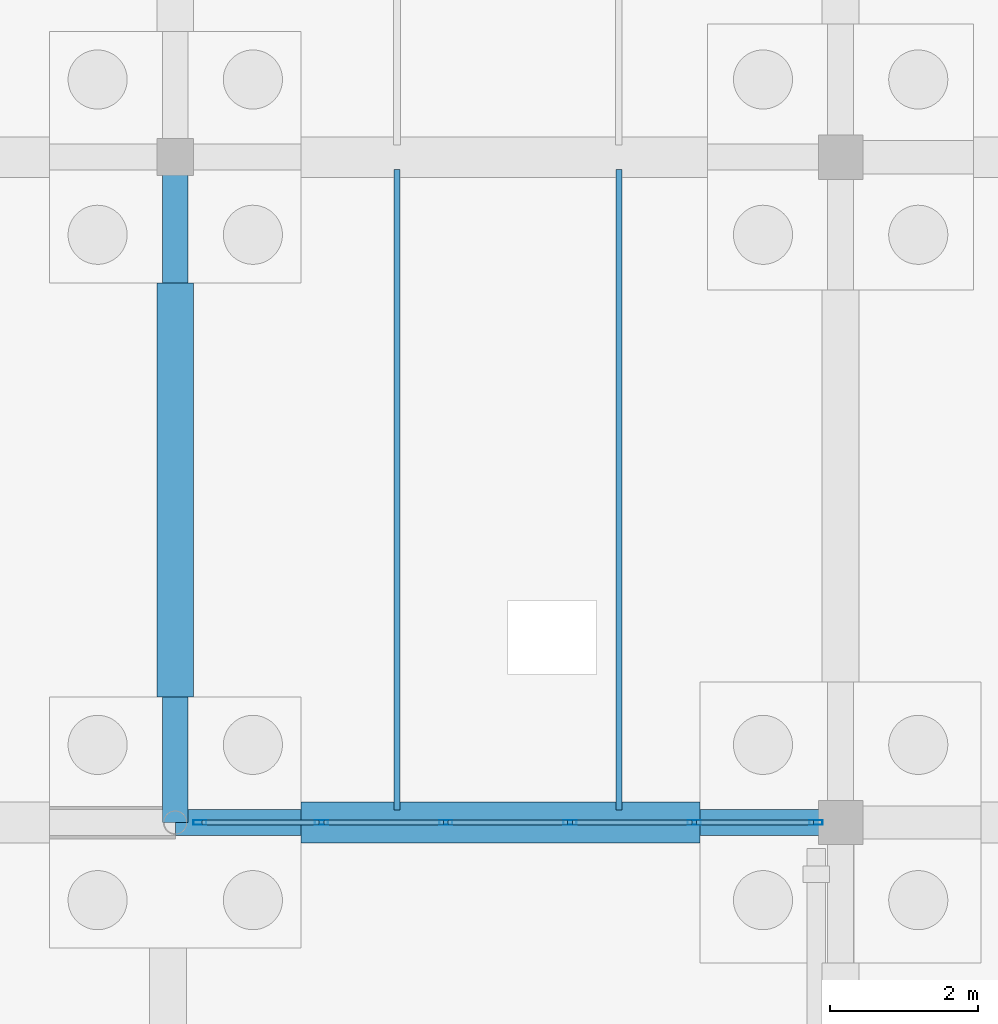
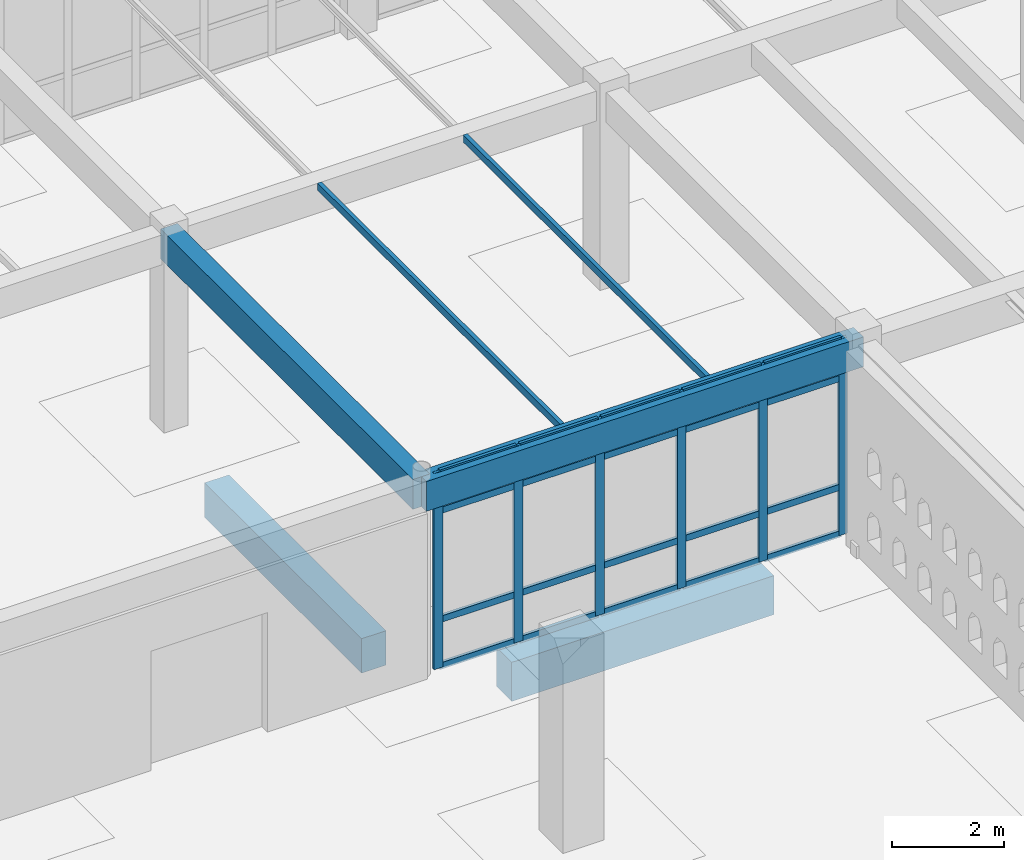
# One storey, part 125 of 186: 26 members, 6 beams, 1 element without a shape of its own.
"""IFC4 building model written with IfcOpenShell, lengths in metres."""

import ifcopenshell
import ifcopenshell.guid

model = None  # the IFC model being written
_history = None  # IfcOwnerHistory: only IFC2X3 demands one
_inside = {}  # id of a spatial element -> (the spatial element, [elements in it])
_under = {}  # id of a project, library or spatial element -> (it, [spatial elements below it])
_declared = {}  # id of a project -> (the project, [libraries it declares])
_typed = {}  # id of a type object -> (the type object, [elements of that type])
_made_of = {}  # id of a material, layer set ... -> (it, [elements and type objects made of it])


def new_model(schema):
    """Start an empty IFC model of exactly this schema.

    Asked for "IFC4X3", IfcOpenShell would pick the latest addendum, in which some entities
    have other attributes; the version numbers below select the first issue.
    IFC2X3 requires an IfcOwnerHistory on every rooted entity: one is made here for all.
    """
    global model, _history
    if schema == "IFC4X3":
        model = ifcopenshell.file(schema_version=(4, 3, 0, 0))
    else:
        model = ifcopenshell.file(schema=schema)
    _inside.clear()
    _under.clear()
    _declared.clear()
    _typed.clear()
    _made_of.clear()
    _history = None
    if model.schema == "IFC2X3":
        org = make("IfcOrganization", Name="unknown")
        user = make(
            "IfcPersonAndOrganization",
            ThePerson=make("IfcPerson", FamilyName="unknown"),
            TheOrganization=org,
        )
        app = make(
            "IfcApplication",
            ApplicationDeveloper=org,
            Version="unknown",
            ApplicationFullName="unknown",
            ApplicationIdentifier="unknown",
        )
        _history = make(
            "IfcOwnerHistory",
            OwningUser=user,
            OwningApplication=app,
            ChangeAction="ADDED",
            CreationDate=0,
        )
    return model


def make(cls, **values):
    """One entity of the class cls with the attributes given. An attribute that is None is left unset."""
    return model.create_entity(
        cls, **{name: value for name, value in values.items() if value is not None}
    )


def rooted(cls, **values):
    """An entity with a GlobalId (a new one), such as an element, a storey or a relation."""
    return make(cls, GlobalId=ifcopenshell.guid.new(), OwnerHistory=_history, **values)


def si_unit(unit_type, name, prefix=None):
    """IfcSIUnit, for example si_unit("LENGTHUNIT", "METRE", prefix="MILLI")."""
    return make("IfcSIUnit", UnitType=unit_type, Prefix=prefix, Name=name)


def assignment(units):
    """IfcUnitAssignment: the units of a project."""
    return None if units is None else make("IfcUnitAssignment", Units=units)


def point(xyz):
    """IfcCartesianPoint."""
    return None if xyz is None else make("IfcCartesianPoint", Coordinates=xyz)


def direction(xyz):
    """IfcDirection."""
    return None if xyz is None else make("IfcDirection", DirectionRatios=xyz)


def frame(location, z_axis=None, x_axis=None):
    """IfcAxis2Placement3D, a coordinate frame: its origin and axes. An axis left out is left unset."""
    return make(
        "IfcAxis2Placement3D",
        Location=point(location),
        Axis=direction(z_axis),
        RefDirection=direction(x_axis),
    )


def frame_2d(location, x_axis=None):
    """IfcAxis2Placement2D, a coordinate frame in the plane: its origin and x axis."""
    return make(
        "IfcAxis2Placement2D", Location=point(location), RefDirection=direction(x_axis)
    )


def origin():
    """The frame at (0, 0, 0) with its axes left unset."""
    return frame((0.0, 0.0, 0.0))


def origin_2d():
    """The frame at (0, 0) in the plane with its x axis left unset."""
    return frame_2d((0.0, 0.0))


def place(relative_to, where):
    """IfcLocalPlacement: puts the frame where relative to a parent placement (None: the world)."""
    return make(
        "IfcLocalPlacement", PlacementRelTo=relative_to, RelativePlacement=where
    )


def context(
    kind, dimensions, precision=None, world=None, true_north=None, identifier=None
):
    """IfcGeometricRepresentationContext, for example the 3D "Model" context."""
    return make(
        "IfcGeometricRepresentationContext",
        ContextIdentifier=identifier,
        ContextType=kind,
        CoordinateSpaceDimension=dimensions,
        Precision=precision,
        WorldCoordinateSystem=world,
        TrueNorth=true_north,
    )


def subcontext(parent, identifier, kind, view, scale=None):
    """IfcGeometricRepresentationSubContext, for example "Body" below "Model"."""
    return make(
        "IfcGeometricRepresentationSubContext",
        ContextIdentifier=identifier,
        ContextType=kind,
        ParentContext=parent,
        TargetScale=scale,
        TargetView=view,
    )


def project(units=None, contexts=None):
    """IfcProject with its units and contexts."""
    return rooted(
        "IfcProject",
        Name="project",
        RepresentationContexts=contexts,
        UnitsInContext=assignment(units),
    )


def spatial(cls, under=None, at=None, **own):
    """A site, building, storey or space (cls), placed at a placement, below another one or the project."""
    s = rooted(cls, ObjectPlacement=at, **own)
    if under is not None:
        _under.setdefault(under.id(), (under, []))[1].append(s)
    return s


def profile(cls, at=None, kind="AREA", **sizes):
    """A parametric profile (cls). Its sizes go by their IFC names, for example OverallWidth=200.0."""
    return make(cls, ProfileType=kind, Position=at, **sizes)


def rectangle(**sizes):
    """IfcRectangleProfileDef."""
    return profile("IfcRectangleProfileDef", **sizes)


def hollow_rectangle(**sizes):
    """IfcRectangleHollowProfileDef."""
    return profile("IfcRectangleHollowProfileDef", **sizes)


def extrude(swept, where, along, depth):
    """IfcExtrudedAreaSolid: the profile swept, set in the frame where, extruded along a direction by depth."""
    return make(
        "IfcExtrudedAreaSolid",
        SweptArea=swept,
        Position=where,
        ExtrudedDirection=direction(along),
        Depth=depth,
    )


def shape(context_of_items, identifier, shape_type, items):
    """IfcShapeRepresentation: the items that make up one representation, for example the "Body"."""
    return make(
        "IfcShapeRepresentation",
        ContextOfItems=context_of_items,
        RepresentationIdentifier=identifier,
        RepresentationType=shape_type,
        Items=items,
    )


def material(Name=None, Category=None):
    """IfcMaterial."""
    return make("IfcMaterial", Name=Name, Category=Category)


def layer(
    of_material, thickness, ventilated=None, Name=None, Category=None, Priority=None
):
    """IfcMaterialLayer: one layer of a wall or slab, of a material (None: an air gap)."""
    return make(
        "IfcMaterialLayer",
        Material=of_material,
        LayerThickness=thickness,
        IsVentilated=ventilated,
        Name=Name,
        Category=Category,
        Priority=Priority,
    )


def layer_set(layers, Name=None):
    """IfcMaterialLayerSet."""
    return make("IfcMaterialLayerSet", MaterialLayers=layers, LayerSetName=Name)


def material_profile(
    of_material, cross_section, Name=None, Category=None, Priority=None
):
    """IfcMaterialProfile: a cross section and its material."""
    return make(
        "IfcMaterialProfile",
        Name=Name,
        Material=of_material,
        Profile=cross_section,
        Priority=Priority,
        Category=Category,
    )


def profile_set(profiles, Name=None, composite=None):
    """IfcMaterialProfileSet."""
    return make(
        "IfcMaterialProfileSet",
        Name=Name,
        MaterialProfiles=profiles,
        CompositeProfile=composite,
    )


def made_of(thing, what):
    """Note that an element or type object is made of a material, layer set ...; save() writes the relation."""
    if what is not None:
        _made_of.setdefault(what.id(), (what, []))[1].append(thing)
    return thing


def type_object(cls, material=None, **own):
    """A type object (cls), such as IfcWallType, which elements share."""
    return made_of(rooted(cls, **own), material)


def element(
    cls,
    number,
    at=None,
    inside=None,
    cuts=None,
    type_object=None,
    material=None,
    context=None,
    identifier="Body",
    shape_type=None,
    held_by="IfcProductDefinitionShape",
    body=None,
    shapes=None,
    **own,
):
    """One element of the class cls, such as IfcWall. Its Tag is "e" and its number.

    at: its placement. inside: the storey or other place that contains it. cuts: it is an
    opening in that element (IfcRelVoidsElement). A single representation is given by context,
    identifier, shape_type and body (its items); several are given by shapes. held_by: the class
    of the entity that holds the representations. save() writes the other relations.
    """
    e = rooted(cls, Tag="e%d" % number, ObjectPlacement=at, **own)
    if body is not None:
        shapes = [shape(context, identifier, shape_type, body)]
    if shapes is not None:
        e.Representation = make(held_by, Representations=shapes)
    if inside is not None:
        _inside.setdefault(inside.id(), (inside, []))[1].append(e)
    if cuts is not None:
        rooted(
            "IfcRelVoidsElement", RelatingBuildingElement=cuts, RelatedOpeningElement=e
        )
    if type_object is not None:
        _typed.setdefault(type_object.id(), (type_object, []))[1].append(e)
    return made_of(e, material)


def aggregate(whole, parts):
    """IfcRelAggregates: a whole, such as a stair, and the parts it consists of."""
    return rooted("IfcRelAggregates", RelatingObject=whole, RelatedObjects=parts)


def save(model, path):
    """Write the relations noted so far, then the file.

    IfcRelAggregates (storeys below a building ...), IfcRelContainedInSpatialStructure (elements
    in a storey), IfcRelDefinesByType, IfcRelAssociatesMaterial and IfcRelDeclares: one each for
    every whole, place, type object, material and project.
    """
    for whole, parts in _under.values():
        aggregate(whole, parts)
    for where, things in _inside.values():
        rooted(
            "IfcRelContainedInSpatialStructure",
            RelatedElements=things,
            RelatingStructure=where,
        )
    for kind, things in _typed.values():
        rooted("IfcRelDefinesByType", RelatedObjects=things, RelatingType=kind)
    for what, things in _made_of.values():
        rooted("IfcRelAssociatesMaterial", RelatedObjects=things, RelatingMaterial=what)
    for by, libraries in _declared.values():
        rooted("IfcRelDeclares", RelatingContext=by, RelatedDefinitions=libraries)
    model.write(path)


model = new_model("IFC4")

# Units and contexts
model_context = context("Model", 3, precision=1e-05, world=origin(), true_north=direction((0.0, 1.0)))
body_context = subcontext(model_context, "Body", "Model", "MODEL_VIEW")
ifc_project = project(units=[si_unit("LENGTHUNIT", "METRE"), si_unit("AREAUNIT", "SQUARE_METRE"), si_unit("VOLUMEUNIT", "CUBIC_METRE"), si_unit("PLANEANGLEUNIT", "RADIAN"), si_unit("MASSUNIT", "GRAM", prefix="KILO")], contexts=[model_context])

# Site, building, storey
site_placement = place(None, origin())
site = spatial("IfcSite", under=ifc_project, at=site_placement, CompositionType="ELEMENT")
building_placement = place(site_placement, origin())
building = spatial("IfcBuilding", under=site, at=building_placement, Name="Ornek Quay Market", CompositionType="ELEMENT")
storey_placement = place(building_placement, origin())
storey = spatial("IfcBuildingStorey", under=building, at=storey_placement, Name="L00", CompositionType="ELEMENT", Elevation=0.0)

# Beams
ifc_material_1 = material(Name="Concrete C35/45", Category="concrete")
ifc_material_profile_1 = material_profile(ifc_material_1, rectangle(XDim=0.35009765625, YDim=0.64990234375, at=origin_2d()), Name="RC 350x650", Category="concrete")
ifc_profile_set_1 = profile_set([ifc_material_profile_1], Name="Concrete C35/45")
beam_type_1 = type_object("IfcBeamType", Name="BM-CONC-350x650", PredefinedType="BEAM", material=ifc_profile_set_1)
for number, where, z_axis, x_axis, name in (
    (1, (144.0, 92.0, 3.945068359375), (1.0, 0.0, 0.0), (0.0, 1.0, 0.0), "Primary beam B-CN1-075"),
    (2, (144.0, 92.0, 3.945068359375), (0.0, 1.0, 0.0), (-1.0, 0.0, 0.0), "Primary beam B-CN1-083"),
):
    element("IfcBeam", number, at=place(storey_placement, frame(where, z_axis=z_axis, x_axis=x_axis)), inside=storey, type_object=beam_type_1, Name=name, PredefinedType="BEAM", context=body_context, shape_type="SweptSolid", body=[
        extrude(rectangle(XDim=0.35009765625, YDim=0.64990234375, at=origin_2d()), origin(), (0.0, 0.0, 1.0), 9.0),
    ])
ifc_material_profile_2 = material_profile(ifc_material_1, rectangle(XDim=0.5, YDim=0.75, at=origin_2d()), Name="RC 500x750", Category="concrete")
ifc_profile_set_2 = profile_set([ifc_material_profile_2], Name="Concrete C35/45")
beam_type_2 = type_object("IfcBeamType", Name="BM-GB-500x750", PredefinedType="BEAM", material=ifc_profile_set_2)
beam_1_placement = place(storey_placement, frame((144.0, 93.699951171875, -0.574951171875), z_axis=(0.0, 1.0, 0.0), x_axis=(-1.0, 0.0, 0.0)))
element("IfcBeam", 3, at=beam_1_placement, inside=storey, type_object=beam_type_2, Name="Ground tie beam GB-385", PredefinedType="BEAM", context=body_context, shape_type="SweptSolid", body=[
    extrude(rectangle(XDim=0.5, YDim=0.75, at=origin_2d()), origin(), (0.0, 0.0, 1.0), 5.60009765625),
])
ifc_material_profile_3 = material_profile(ifc_material_1, rectangle(XDim=0.550048828125, YDim=0.85009765625, at=origin_2d()), Name="RC 550x850", Category="concrete")
ifc_profile_set_3 = profile_set([ifc_material_profile_3], Name="Concrete C35/45")
beam_type_3 = type_object("IfcBeamType", Name="BM-GB-550x850", PredefinedType="BEAM", material=ifc_profile_set_3)
beam_2_placement = place(storey_placement, frame((145.699951171875, 92.0, -0.625), z_axis=(1.0, 0.0, 0.0), x_axis=(0.0, 1.0, 0.0)))
element("IfcBeam", 4, at=beam_2_placement, inside=storey, type_object=beam_type_3, Name="Ground tie beam GB-344", PredefinedType="BEAM", context=body_context, shape_type="SweptSolid", body=[
    extrude(rectangle(XDim=0.550048828125, YDim=0.85009765625, at=origin_2d()), origin(), (0.0, 0.0, 1.0), 5.400146484375),
])
ifc_material_2 = material(Name="Steel S355", Category="steel")
ifc_material_profile_4 = material_profile(ifc_material_2, hollow_rectangle(XDim=0.080078125, YDim=0.159912109375, WallThickness=0.008056640625, at=origin_2d()), Name="RHS 160x80x8", Category="steel")
ifc_profile_set_4 = profile_set([ifc_material_profile_4], Name="Steel S355")
beam_type_4 = type_object("IfcBeamType", Name="BM-RHS-RHS160x80x8", PredefinedType="BEAM", material=ifc_profile_set_4)
for number, where, z_axis, x_axis, name in (
    (5, (147.0, 92.1669921875, 4.18994140625), (0.0, 1.0, 0.0), (-1.0, 0.0, 0.0), "Secondary joist SR-02-007"),
    (6, (150.0, 92.1669921875, 4.18994140625), (0.0, 1.0, 0.0), (-1.0, 0.0, 0.0), "Secondary joist SR-02-008"),
):
    element("IfcBeam", number, at=place(storey_placement, frame(where, z_axis=z_axis, x_axis=x_axis)), inside=storey, type_object=beam_type_4, Name=name, PredefinedType="BEAM", context=body_context, shape_type="SweptSolid", body=[
        extrude(hollow_rectangle(XDim=0.080078125, YDim=0.159912109375, WallThickness=0.008056640625, at=origin_2d()), origin(), (0.0, 0.0, 1.0), 8.666015625),
    ])

# Curtain wall, members
ifc_material_3 = material(Name="Anodised bronze aluminium and triple low-e glass", Category="aluminium")
ifc_layer = layer(ifc_material_3, 0.199951171875, Name="Anodised bronze aluminium and triple low-e glass", Category="aluminium")
ifc_layer_set = layer_set([ifc_layer], Name="Anodised bronze aluminium and triple low-e glass")
curtain_wall_type = type_object("IfcCurtainWallType", Name="CW-CONC-MOD1800", PredefinedType="USERDEFINED", material=ifc_layer_set)
curtain_wall_placement = place(storey_placement, origin())
curtain_wall = element("IfcCurtainWall", 7, at=curtain_wall_placement, inside=storey, type_object=curtain_wall_type, Name="Curtain wall CW-030", ObjectType="CURTAIN WALL", PredefinedType="USERDEFINED")
ifc_material_4 = material(Name="Anodised aluminium 6063-T6", Category="aluminium")
ifc_material_profile_5 = material_profile(ifc_material_4, hollow_rectangle(XDim=0.06494140625, YDim=0.179931640625, WallThickness=0.00439453125, at=origin_2d()), Name="CW-MUL-65x180", Category="aluminium")
ifc_profile_set_5 = profile_set([ifc_material_profile_5], Name="Anodised aluminium 6063-T6")
member_type_1 = type_object("IfcMemberType", Name="CW-MUL-65x180", PredefinedType="MULLION", material=ifc_profile_set_5)
member_1_placement = place(storey_placement, frame((144.33251953125, 92.0, 0.0), z_axis=(0.0, 0.0, 1.0), x_axis=(0.0, 1.0, 0.0)))
member_1 = element("IfcMember", 8, at=member_1_placement, type_object=member_type_1, Name="CW-030 mullion 1", PredefinedType="MULLION", context=body_context, shape_type="SweptSolid", body=[
    extrude(hollow_rectangle(XDim=0.06494140625, YDim=0.179931640625, WallThickness=0.00439453125, at=origin_2d()), origin(), (0.0, 0.0, 1.0), 4.27001953125),
])
member_2_placement = place(storey_placement, frame((145.97998046875, 92.0, 0.0), z_axis=(0.0, 0.0, 1.0), x_axis=(0.0, 1.0, 0.0)))
member_2 = element("IfcMember", 9, at=member_2_placement, type_object=member_type_1, Name="CW-030 mullion 2", PredefinedType="MULLION", context=body_context, shape_type="SweptSolid", body=[
    extrude(hollow_rectangle(XDim=0.06494140625, YDim=0.179931640625, WallThickness=0.00439453125, at=origin_2d()), origin(), (0.0, 0.0, 1.0), 4.27001953125),
])
member_3_placement = place(storey_placement, frame((147.659912109375, 92.0, 0.0), z_axis=(0.0, 0.0, 1.0), x_axis=(0.0, 1.0, 0.0)))
member_3 = element("IfcMember", 10, at=member_3_placement, type_object=member_type_1, Name="CW-030 mullion 3", PredefinedType="MULLION", context=body_context, shape_type="SweptSolid", body=[
    extrude(hollow_rectangle(XDim=0.06494140625, YDim=0.179931640625, WallThickness=0.00439453125, at=origin_2d()), origin(), (0.0, 0.0, 1.0), 4.27001953125),
])
member_4_placement = place(storey_placement, frame((149.340087890625, 92.0, 0.0), z_axis=(0.0, 0.0, 1.0), x_axis=(0.0, 1.0, 0.0)))
member_4 = element("IfcMember", 11, at=member_4_placement, type_object=member_type_1, Name="CW-030 mullion 4", PredefinedType="MULLION", context=body_context, shape_type="SweptSolid", body=[
    extrude(hollow_rectangle(XDim=0.06494140625, YDim=0.179931640625, WallThickness=0.00439453125, at=origin_2d()), origin(), (0.0, 0.0, 1.0), 4.27001953125),
])
member_5_placement = place(storey_placement, frame((151.02001953125, 92.0, 0.0), z_axis=(0.0, 0.0, 1.0), x_axis=(0.0, 1.0, 0.0)))
member_5 = element("IfcMember", 12, at=member_5_placement, type_object=member_type_1, Name="CW-030 mullion 5", PredefinedType="MULLION", context=body_context, shape_type="SweptSolid", body=[
    extrude(hollow_rectangle(XDim=0.06494140625, YDim=0.179931640625, WallThickness=0.00439453125, at=origin_2d()), origin(), (0.0, 0.0, 1.0), 4.27001953125),
])
member_6_placement = place(storey_placement, frame((152.66748046875, 92.0, 0.0), z_axis=(0.0, 0.0, 1.0), x_axis=(0.0, 1.0, 0.0)))
member_6 = element("IfcMember", 13, at=member_6_placement, type_object=member_type_1, Name="CW-030 mullion 6", PredefinedType="MULLION", context=body_context, shape_type="SweptSolid", body=[
    extrude(hollow_rectangle(XDim=0.06494140625, YDim=0.179931640625, WallThickness=0.00439453125, at=origin_2d()), origin(), (0.0, 0.0, 1.0), 4.27001953125),
])
ifc_material_profile_6 = material_profile(ifc_material_4, hollow_rectangle(XDim=0.06494140625, YDim=0.139892578125, WallThickness=0.00439453125, at=origin_2d()), Name="CW-TRN-65x140", Category="aluminium")
ifc_profile_set_6 = profile_set([ifc_material_profile_6], Name="Anodised aluminium 6063-T6")
member_type_2 = type_object("IfcMemberType", Name="CW-TRN-65x140", PredefinedType="USERDEFINED", material=ifc_profile_set_6)
member_7_placement = place(storey_placement, frame((144.364990234375, 92.0, 0.032470703125), z_axis=(1.0, 0.0, 0.0), x_axis=(0.0, 1.0, 0.0)))
member_7 = element("IfcMember", 14, at=member_7_placement, type_object=member_type_2, Name="CW-030 transom 1.1", ObjectType="TRANSOM", PredefinedType="USERDEFINED", context=body_context, shape_type="SweptSolid", body=[
    extrude(hollow_rectangle(XDim=0.06494140625, YDim=0.139892578125, WallThickness=0.00439453125, at=origin_2d()), origin(), (0.0, 0.0, 1.0), 1.58251953125),
])
member_8_placement = place(storey_placement, frame((144.364990234375, 92.0, 1.050048828125), z_axis=(1.0, 0.0, 0.0), x_axis=(0.0, 1.0, 0.0)))
member_8 = element("IfcMember", 15, at=member_8_placement, type_object=member_type_2, Name="CW-030 transom 1.2", ObjectType="TRANSOM", PredefinedType="USERDEFINED", context=body_context, shape_type="SweptSolid", body=[
    extrude(hollow_rectangle(XDim=0.06494140625, YDim=0.139892578125, WallThickness=0.00439453125, at=origin_2d()), origin(), (0.0, 0.0, 1.0), 1.58251953125),
])
member_9_placement = place(storey_placement, frame((144.364990234375, 92.0, 3.419921875), z_axis=(1.0, 0.0, 0.0), x_axis=(0.0, 1.0, 0.0)))
member_9 = element("IfcMember", 16, at=member_9_placement, type_object=member_type_2, Name="CW-030 transom 1.3", ObjectType="TRANSOM", PredefinedType="USERDEFINED", context=body_context, shape_type="SweptSolid", body=[
    extrude(hollow_rectangle(XDim=0.06494140625, YDim=0.139892578125, WallThickness=0.00439453125, at=origin_2d()), origin(), (0.0, 0.0, 1.0), 1.58251953125),
])
member_10_placement = place(storey_placement, frame((144.364990234375, 92.0, 4.237548828125), z_axis=(1.0, 0.0, 0.0), x_axis=(0.0, 1.0, 0.0)))
member_10 = element("IfcMember", 17, at=member_10_placement, type_object=member_type_2, Name="CW-030 transom 1.4", ObjectType="TRANSOM", PredefinedType="USERDEFINED", context=body_context, shape_type="SweptSolid", body=[
    extrude(hollow_rectangle(XDim=0.06494140625, YDim=0.139892578125, WallThickness=0.00439453125, at=origin_2d()), origin(), (0.0, 0.0, 1.0), 1.58251953125),
])
member_11_placement = place(storey_placement, frame((146.012451171875, 92.0, 0.032470703125), z_axis=(1.0, 0.0, 0.0), x_axis=(0.0, 1.0, 0.0)))
member_11 = element("IfcMember", 18, at=member_11_placement, type_object=member_type_2, Name="CW-030 transom 2.1", ObjectType="TRANSOM", PredefinedType="USERDEFINED", context=body_context, shape_type="SweptSolid", body=[
    extrude(hollow_rectangle(XDim=0.06494140625, YDim=0.139892578125, WallThickness=0.00439453125, at=origin_2d()), origin(), (0.0, 0.0, 1.0), 1.614990234375),
])
member_12_placement = place(storey_placement, frame((146.012451171875, 92.0, 1.050048828125), z_axis=(1.0, 0.0, 0.0), x_axis=(0.0, 1.0, 0.0)))
member_12 = element("IfcMember", 19, at=member_12_placement, type_object=member_type_2, Name="CW-030 transom 2.2", ObjectType="TRANSOM", PredefinedType="USERDEFINED", context=body_context, shape_type="SweptSolid", body=[
    extrude(hollow_rectangle(XDim=0.06494140625, YDim=0.139892578125, WallThickness=0.00439453125, at=origin_2d()), origin(), (0.0, 0.0, 1.0), 1.614990234375),
])
member_13_placement = place(storey_placement, frame((146.012451171875, 92.0, 3.419921875), z_axis=(1.0, 0.0, 0.0), x_axis=(0.0, 1.0, 0.0)))
member_13 = element("IfcMember", 20, at=member_13_placement, type_object=member_type_2, Name="CW-030 transom 2.3", ObjectType="TRANSOM", PredefinedType="USERDEFINED", context=body_context, shape_type="SweptSolid", body=[
    extrude(hollow_rectangle(XDim=0.06494140625, YDim=0.139892578125, WallThickness=0.00439453125, at=origin_2d()), origin(), (0.0, 0.0, 1.0), 1.614990234375),
])
member_14_placement = place(storey_placement, frame((146.012451171875, 92.0, 4.237548828125), z_axis=(1.0, 0.0, 0.0), x_axis=(0.0, 1.0, 0.0)))
member_14 = element("IfcMember", 21, at=member_14_placement, type_object=member_type_2, Name="CW-030 transom 2.4", ObjectType="TRANSOM", PredefinedType="USERDEFINED", context=body_context, shape_type="SweptSolid", body=[
    extrude(hollow_rectangle(XDim=0.06494140625, YDim=0.139892578125, WallThickness=0.00439453125, at=origin_2d()), origin(), (0.0, 0.0, 1.0), 1.614990234375),
])
member_15_placement = place(storey_placement, frame((147.6923828125, 92.0, 0.032470703125), z_axis=(1.0, 0.0, 0.0), x_axis=(0.0, 1.0, 0.0)))
member_15 = element("IfcMember", 22, at=member_15_placement, type_object=member_type_2, Name="CW-030 transom 3.1", ObjectType="TRANSOM", PredefinedType="USERDEFINED", context=body_context, shape_type="SweptSolid", body=[
    extrude(hollow_rectangle(XDim=0.06494140625, YDim=0.139892578125, WallThickness=0.00439453125, at=origin_2d()), origin(), (0.0, 0.0, 1.0), 1.615234375),
])
member_16_placement = place(storey_placement, frame((147.6923828125, 92.0, 1.050048828125), z_axis=(1.0, 0.0, 0.0), x_axis=(0.0, 1.0, 0.0)))
member_16 = element("IfcMember", 23, at=member_16_placement, type_object=member_type_2, Name="CW-030 transom 3.2", ObjectType="TRANSOM", PredefinedType="USERDEFINED", context=body_context, shape_type="SweptSolid", body=[
    extrude(hollow_rectangle(XDim=0.06494140625, YDim=0.139892578125, WallThickness=0.00439453125, at=origin_2d()), origin(), (0.0, 0.0, 1.0), 1.615234375),
])
member_17_placement = place(storey_placement, frame((147.6923828125, 92.0, 3.419921875), z_axis=(1.0, 0.0, 0.0), x_axis=(0.0, 1.0, 0.0)))
member_17 = element("IfcMember", 24, at=member_17_placement, type_object=member_type_2, Name="CW-030 transom 3.3", ObjectType="TRANSOM", PredefinedType="USERDEFINED", context=body_context, shape_type="SweptSolid", body=[
    extrude(hollow_rectangle(XDim=0.06494140625, YDim=0.139892578125, WallThickness=0.00439453125, at=origin_2d()), origin(), (0.0, 0.0, 1.0), 1.615234375),
])
member_18_placement = place(storey_placement, frame((147.6923828125, 92.0, 4.237548828125), z_axis=(1.0, 0.0, 0.0), x_axis=(0.0, 1.0, 0.0)))
member_18 = element("IfcMember", 25, at=member_18_placement, type_object=member_type_2, Name="CW-030 transom 3.4", ObjectType="TRANSOM", PredefinedType="USERDEFINED", context=body_context, shape_type="SweptSolid", body=[
    extrude(hollow_rectangle(XDim=0.06494140625, YDim=0.139892578125, WallThickness=0.00439453125, at=origin_2d()), origin(), (0.0, 0.0, 1.0), 1.615234375),
])
member_19_placement = place(storey_placement, frame((149.37255859375, 92.0, 0.032470703125), z_axis=(1.0, 0.0, 0.0), x_axis=(0.0, 1.0, 0.0)))
member_19 = element("IfcMember", 26, at=member_19_placement, type_object=member_type_2, Name="CW-030 transom 4.1", ObjectType="TRANSOM", PredefinedType="USERDEFINED", context=body_context, shape_type="SweptSolid", body=[
    extrude(hollow_rectangle(XDim=0.06494140625, YDim=0.139892578125, WallThickness=0.00439453125, at=origin_2d()), origin(), (0.0, 0.0, 1.0), 1.614990234375),
])
member_20_placement = place(storey_placement, frame((149.37255859375, 92.0, 1.050048828125), z_axis=(1.0, 0.0, 0.0), x_axis=(0.0, 1.0, 0.0)))
member_20 = element("IfcMember", 27, at=member_20_placement, type_object=member_type_2, Name="CW-030 transom 4.2", ObjectType="TRANSOM", PredefinedType="USERDEFINED", context=body_context, shape_type="SweptSolid", body=[
    extrude(hollow_rectangle(XDim=0.06494140625, YDim=0.139892578125, WallThickness=0.00439453125, at=origin_2d()), origin(), (0.0, 0.0, 1.0), 1.614990234375),
])
member_21_placement = place(storey_placement, frame((149.37255859375, 92.0, 3.419921875), z_axis=(1.0, 0.0, 0.0), x_axis=(0.0, 1.0, 0.0)))
member_21 = element("IfcMember", 28, at=member_21_placement, type_object=member_type_2, Name="CW-030 transom 4.3", ObjectType="TRANSOM", PredefinedType="USERDEFINED", context=body_context, shape_type="SweptSolid", body=[
    extrude(hollow_rectangle(XDim=0.06494140625, YDim=0.139892578125, WallThickness=0.00439453125, at=origin_2d()), origin(), (0.0, 0.0, 1.0), 1.614990234375),
])
member_22_placement = place(storey_placement, frame((149.37255859375, 92.0, 4.237548828125), z_axis=(1.0, 0.0, 0.0), x_axis=(0.0, 1.0, 0.0)))
member_22 = element("IfcMember", 29, at=member_22_placement, type_object=member_type_2, Name="CW-030 transom 4.4", ObjectType="TRANSOM", PredefinedType="USERDEFINED", context=body_context, shape_type="SweptSolid", body=[
    extrude(hollow_rectangle(XDim=0.06494140625, YDim=0.139892578125, WallThickness=0.00439453125, at=origin_2d()), origin(), (0.0, 0.0, 1.0), 1.614990234375),
])
member_23_placement = place(storey_placement, frame((151.052490234375, 92.0, 0.032470703125), z_axis=(1.0, 0.0, 0.0), x_axis=(0.0, 1.0, 0.0)))
member_23 = element("IfcMember", 30, at=member_23_placement, type_object=member_type_2, Name="CW-030 transom 5.1", ObjectType="TRANSOM", PredefinedType="USERDEFINED", context=body_context, shape_type="SweptSolid", body=[
    extrude(hollow_rectangle(XDim=0.06494140625, YDim=0.139892578125, WallThickness=0.00439453125, at=origin_2d()), origin(), (0.0, 0.0, 1.0), 1.58251953125),
])
member_24_placement = place(storey_placement, frame((151.052490234375, 92.0, 1.050048828125), z_axis=(1.0, 0.0, 0.0), x_axis=(0.0, 1.0, 0.0)))
member_24 = element("IfcMember", 31, at=member_24_placement, type_object=member_type_2, Name="CW-030 transom 5.2", ObjectType="TRANSOM", PredefinedType="USERDEFINED", context=body_context, shape_type="SweptSolid", body=[
    extrude(hollow_rectangle(XDim=0.06494140625, YDim=0.139892578125, WallThickness=0.00439453125, at=origin_2d()), origin(), (0.0, 0.0, 1.0), 1.58251953125),
])
member_25_placement = place(storey_placement, frame((151.052490234375, 92.0, 3.419921875), z_axis=(1.0, 0.0, 0.0), x_axis=(0.0, 1.0, 0.0)))
member_25 = element("IfcMember", 32, at=member_25_placement, type_object=member_type_2, Name="CW-030 transom 5.3", ObjectType="TRANSOM", PredefinedType="USERDEFINED", context=body_context, shape_type="SweptSolid", body=[
    extrude(hollow_rectangle(XDim=0.06494140625, YDim=0.139892578125, WallThickness=0.00439453125, at=origin_2d()), origin(), (0.0, 0.0, 1.0), 1.58251953125),
])
member_26_placement = place(storey_placement, frame((151.052490234375, 92.0, 4.237548828125), z_axis=(1.0, 0.0, 0.0), x_axis=(0.0, 1.0, 0.0)))
member_26 = element("IfcMember", 33, at=member_26_placement, type_object=member_type_2, Name="CW-030 transom 5.4", ObjectType="TRANSOM", PredefinedType="USERDEFINED", context=body_context, shape_type="SweptSolid", body=[
    extrude(hollow_rectangle(XDim=0.06494140625, YDim=0.139892578125, WallThickness=0.00439453125, at=origin_2d()), origin(), (0.0, 0.0, 1.0), 1.58251953125),
])
aggregate(curtain_wall, [member_1, member_2, member_3, member_4, member_5, member_6, member_7, member_8, member_9, member_10, member_11, member_12, member_13, member_14, member_15, member_16, member_17, member_18, member_19, member_20, member_21, member_22, member_23, member_24, member_25, member_26])

save(model, "model.ifc")
